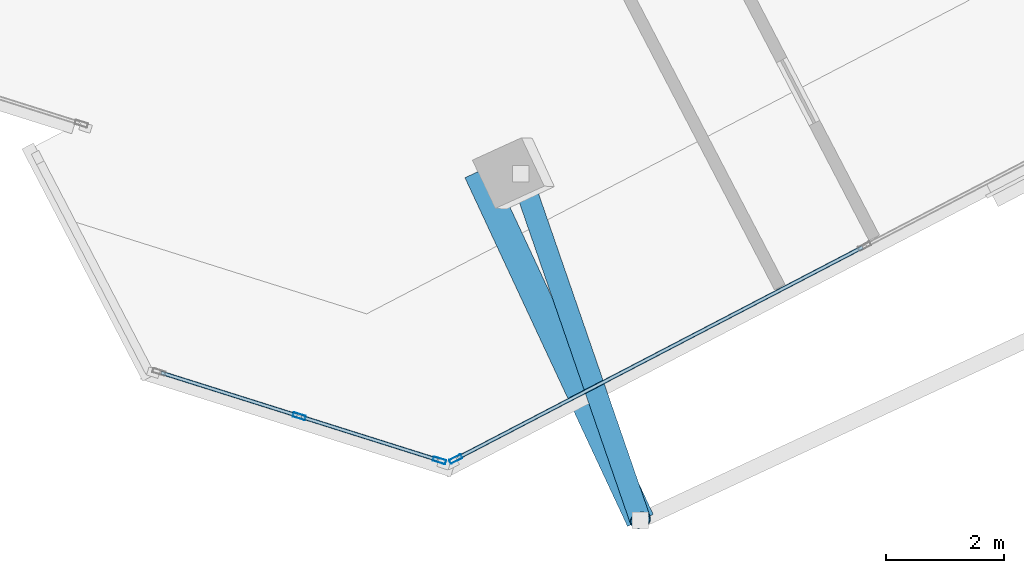
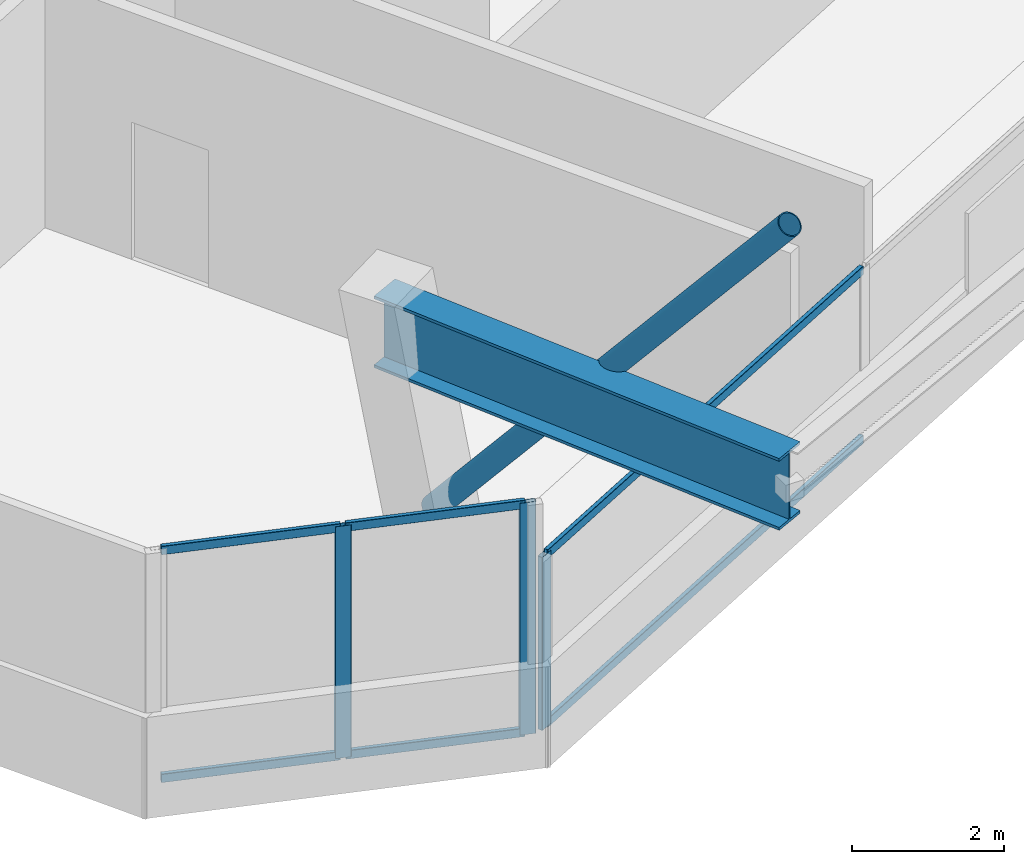
# One storey, part 3 of 16: 10 members, 1 beam, 2 elements without a shape of their own.
"""IFC4 building model written with IfcOpenShell, lengths in metres."""

import ifcopenshell
import ifcopenshell.guid

model = None  # the IFC model being written
_history = None  # IfcOwnerHistory: only IFC2X3 demands one
_inside = {}  # id of a spatial element -> (the spatial element, [elements in it])
_under = {}  # id of a project, library or spatial element -> (it, [spatial elements below it])
_declared = {}  # id of a project -> (the project, [libraries it declares])
_typed = {}  # id of a type object -> (the type object, [elements of that type])
_made_of = {}  # id of a material, layer set ... -> (it, [elements and type objects made of it])


def new_model(schema):
    """Start an empty IFC model of exactly this schema.

    Asked for "IFC4X3", IfcOpenShell would pick the latest addendum, in which some entities
    have other attributes; the version numbers below select the first issue.
    IFC2X3 requires an IfcOwnerHistory on every rooted entity: one is made here for all.
    """
    global model, _history
    if schema == "IFC4X3":
        model = ifcopenshell.file(schema_version=(4, 3, 0, 0))
    else:
        model = ifcopenshell.file(schema=schema)
    _inside.clear()
    _under.clear()
    _declared.clear()
    _typed.clear()
    _made_of.clear()
    _history = None
    if model.schema == "IFC2X3":
        org = make("IfcOrganization", Name="unknown")
        user = make(
            "IfcPersonAndOrganization",
            ThePerson=make("IfcPerson", FamilyName="unknown"),
            TheOrganization=org,
        )
        app = make(
            "IfcApplication",
            ApplicationDeveloper=org,
            Version="unknown",
            ApplicationFullName="unknown",
            ApplicationIdentifier="unknown",
        )
        _history = make(
            "IfcOwnerHistory",
            OwningUser=user,
            OwningApplication=app,
            ChangeAction="ADDED",
            CreationDate=0,
        )
    return model


def make(cls, **values):
    """One entity of the class cls with the attributes given. An attribute that is None is left unset."""
    return model.create_entity(
        cls, **{name: value for name, value in values.items() if value is not None}
    )


def rooted(cls, **values):
    """An entity with a GlobalId (a new one), such as an element, a storey or a relation."""
    return make(cls, GlobalId=ifcopenshell.guid.new(), OwnerHistory=_history, **values)


def si_unit(unit_type, name, prefix=None):
    """IfcSIUnit, for example si_unit("LENGTHUNIT", "METRE", prefix="MILLI")."""
    return make("IfcSIUnit", UnitType=unit_type, Prefix=prefix, Name=name)


def assignment(units):
    """IfcUnitAssignment: the units of a project."""
    return None if units is None else make("IfcUnitAssignment", Units=units)


def point(xyz):
    """IfcCartesianPoint."""
    return None if xyz is None else make("IfcCartesianPoint", Coordinates=xyz)


def direction(xyz):
    """IfcDirection."""
    return None if xyz is None else make("IfcDirection", DirectionRatios=xyz)


def frame(location, z_axis=None, x_axis=None):
    """IfcAxis2Placement3D, a coordinate frame: its origin and axes. An axis left out is left unset."""
    return make(
        "IfcAxis2Placement3D",
        Location=point(location),
        Axis=direction(z_axis),
        RefDirection=direction(x_axis),
    )


def frame_2d(location, x_axis=None):
    """IfcAxis2Placement2D, a coordinate frame in the plane: its origin and x axis."""
    return make(
        "IfcAxis2Placement2D", Location=point(location), RefDirection=direction(x_axis)
    )


def origin():
    """The frame at (0, 0, 0) with its axes left unset."""
    return frame((0.0, 0.0, 0.0))


def origin_2d():
    """The frame at (0, 0) in the plane with its x axis left unset."""
    return frame_2d((0.0, 0.0))


def place(relative_to, where):
    """IfcLocalPlacement: puts the frame where relative to a parent placement (None: the world)."""
    return make(
        "IfcLocalPlacement", PlacementRelTo=relative_to, RelativePlacement=where
    )


def context(
    kind, dimensions, precision=None, world=None, true_north=None, identifier=None
):
    """IfcGeometricRepresentationContext, for example the 3D "Model" context."""
    return make(
        "IfcGeometricRepresentationContext",
        ContextIdentifier=identifier,
        ContextType=kind,
        CoordinateSpaceDimension=dimensions,
        Precision=precision,
        WorldCoordinateSystem=world,
        TrueNorth=true_north,
    )


def subcontext(parent, identifier, kind, view, scale=None):
    """IfcGeometricRepresentationSubContext, for example "Body" below "Model"."""
    return make(
        "IfcGeometricRepresentationSubContext",
        ContextIdentifier=identifier,
        ContextType=kind,
        ParentContext=parent,
        TargetScale=scale,
        TargetView=view,
    )


def project(units=None, contexts=None):
    """IfcProject with its units and contexts."""
    return rooted(
        "IfcProject",
        Name="project",
        RepresentationContexts=contexts,
        UnitsInContext=assignment(units),
    )


def spatial(cls, under=None, at=None, **own):
    """A site, building, storey or space (cls), placed at a placement, below another one or the project."""
    s = rooted(cls, ObjectPlacement=at, **own)
    if under is not None:
        _under.setdefault(under.id(), (under, []))[1].append(s)
    return s


def profile(cls, at=None, kind="AREA", **sizes):
    """A parametric profile (cls). Its sizes go by their IFC names, for example OverallWidth=200.0."""
    return make(cls, ProfileType=kind, Position=at, **sizes)


def hollow_rectangle(**sizes):
    """IfcRectangleHollowProfileDef."""
    return profile("IfcRectangleHollowProfileDef", **sizes)


def hollow_circle(**sizes):
    """IfcCircleHollowProfileDef."""
    return profile("IfcCircleHollowProfileDef", **sizes)


def i_section(**sizes):
    """IfcIShapeProfileDef."""
    return profile("IfcIShapeProfileDef", **sizes)


def extrude(swept, where, along, depth):
    """IfcExtrudedAreaSolid: the profile swept, set in the frame where, extruded along a direction by depth."""
    return make(
        "IfcExtrudedAreaSolid",
        SweptArea=swept,
        Position=where,
        ExtrudedDirection=direction(along),
        Depth=depth,
    )


def shape(context_of_items, identifier, shape_type, items):
    """IfcShapeRepresentation: the items that make up one representation, for example the "Body"."""
    return make(
        "IfcShapeRepresentation",
        ContextOfItems=context_of_items,
        RepresentationIdentifier=identifier,
        RepresentationType=shape_type,
        Items=items,
    )


def source(mapping_origin, context_of_items, identifier, shape_type, items):
    """IfcRepresentationMap: a shape defined once, which mapped items show again and again."""
    return make(
        "IfcRepresentationMap",
        MappingOrigin=mapping_origin,
        MappedRepresentation=shape(context_of_items, identifier, shape_type, items),
    )


def transform(
    local_origin,
    x_axis=None,
    y_axis=None,
    z_axis=None,
    scale=None,
    scale2=None,
    scale3=None,
    uniform=True,
):
    """IfcCartesianTransformationOperator3D, or its non-uniform kind. x_axis, y_axis, z_axis: its Axis1, 2, 3."""
    if uniform:
        return make(
            "IfcCartesianTransformationOperator3D",
            Axis1=direction(x_axis),
            Axis2=direction(y_axis),
            LocalOrigin=point(local_origin),
            Scale=scale,
            Axis3=direction(z_axis),
        )
    return make(
        "IfcCartesianTransformationOperator3DnonUniform",
        Axis1=direction(x_axis),
        Axis2=direction(y_axis),
        LocalOrigin=point(local_origin),
        Scale=scale,
        Axis3=direction(z_axis),
        Scale2=scale2,
        Scale3=scale3,
    )


def mapped(mapping_source, mapping_target):
    """IfcMappedItem: shows the shape of a source again, moved by a transform."""
    return make(
        "IfcMappedItem", MappingSource=mapping_source, MappingTarget=mapping_target
    )


def material(Name=None, Category=None):
    """IfcMaterial."""
    return make("IfcMaterial", Name=Name, Category=Category)


def material_profile(
    of_material, cross_section, Name=None, Category=None, Priority=None
):
    """IfcMaterialProfile: a cross section and its material."""
    return make(
        "IfcMaterialProfile",
        Name=Name,
        Material=of_material,
        Profile=cross_section,
        Priority=Priority,
        Category=Category,
    )


def profile_set(profiles, Name=None, composite=None):
    """IfcMaterialProfileSet."""
    return make(
        "IfcMaterialProfileSet",
        Name=Name,
        MaterialProfiles=profiles,
        CompositeProfile=composite,
    )


def made_of(thing, what):
    """Note that an element or type object is made of a material, layer set ...; save() writes the relation."""
    if what is not None:
        _made_of.setdefault(what.id(), (what, []))[1].append(thing)
    return thing


def type_object(cls, material=None, **own):
    """A type object (cls), such as IfcWallType, which elements share."""
    return made_of(rooted(cls, **own), material)


def element(
    cls,
    number,
    at=None,
    inside=None,
    cuts=None,
    type_object=None,
    material=None,
    context=None,
    identifier="Body",
    shape_type=None,
    held_by="IfcProductDefinitionShape",
    body=None,
    shapes=None,
    **own,
):
    """One element of the class cls, such as IfcWall. Its Tag is "e" and its number.

    at: its placement. inside: the storey or other place that contains it. cuts: it is an
    opening in that element (IfcRelVoidsElement). A single representation is given by context,
    identifier, shape_type and body (its items); several are given by shapes. held_by: the class
    of the entity that holds the representations. save() writes the other relations.
    """
    e = rooted(cls, Tag="e%d" % number, ObjectPlacement=at, **own)
    if body is not None:
        shapes = [shape(context, identifier, shape_type, body)]
    if shapes is not None:
        e.Representation = make(held_by, Representations=shapes)
    if inside is not None:
        _inside.setdefault(inside.id(), (inside, []))[1].append(e)
    if cuts is not None:
        rooted(
            "IfcRelVoidsElement", RelatingBuildingElement=cuts, RelatedOpeningElement=e
        )
    if type_object is not None:
        _typed.setdefault(type_object.id(), (type_object, []))[1].append(e)
    return made_of(e, material)


def aggregate(whole, parts):
    """IfcRelAggregates: a whole, such as a stair, and the parts it consists of."""
    return rooted("IfcRelAggregates", RelatingObject=whole, RelatedObjects=parts)


def save(model, path):
    """Write the relations noted so far, then the file.

    IfcRelAggregates (storeys below a building ...), IfcRelContainedInSpatialStructure (elements
    in a storey), IfcRelDefinesByType, IfcRelAssociatesMaterial and IfcRelDeclares: one each for
    every whole, place, type object, material and project.
    """
    for whole, parts in _under.values():
        aggregate(whole, parts)
    for where, things in _inside.values():
        rooted(
            "IfcRelContainedInSpatialStructure",
            RelatedElements=things,
            RelatingStructure=where,
        )
    for kind, things in _typed.values():
        rooted("IfcRelDefinesByType", RelatedObjects=things, RelatingType=kind)
    for what, things in _made_of.values():
        rooted("IfcRelAssociatesMaterial", RelatedObjects=things, RelatingMaterial=what)
    for by, libraries in _declared.values():
        rooted("IfcRelDeclares", RelatingContext=by, RelatedDefinitions=libraries)
    model.write(path)


model = new_model("IFC4")

# Units and contexts
model_context = context("Model", 3, precision=1e-05, world=origin(), true_north=direction((0.0, 1.0)))
body_context = subcontext(model_context, "Body", "Model", "MODEL_VIEW")
ifc_project = project(units=[si_unit("LENGTHUNIT", "METRE"), si_unit("AREAUNIT", "SQUARE_METRE"), si_unit("VOLUMEUNIT", "CUBIC_METRE"), si_unit("PLANEANGLEUNIT", "RADIAN"), si_unit("MASSUNIT", "GRAM", prefix="KILO")], contexts=[model_context])

# Site, building, storey
site_placement = place(None, origin())
site = spatial("IfcSite", under=ifc_project, at=site_placement, CompositionType="ELEMENT")
building_placement = place(site_placement, origin())
building = spatial("IfcBuilding", under=site, at=building_placement, Name="Torre Montelarca", CompositionType="ELEMENT")
storey_placement = place(building_placement, frame((0.0, 0.0, 336.60009765625)))
storey = spatial("IfcBuildingStorey", under=building, at=storey_placement, Name="L76", CompositionType="ELEMENT", Elevation=336.60009765625)

# Beam
ifc_material_1 = material(Name="Steel ASTM A572 Grade 50", Category="steel")
ifc_material_profile_1 = material_profile(ifc_material_1, i_section(OverallWidth=0.47998046875, OverallDepth=1.14990234375, WebThickness=0.02197265625, FlangeThickness=0.044921875, at=origin_2d()), Name="PG1150X480X22X45", Category="steel")
ifc_profile_set_1 = profile_set([ifc_material_profile_1], Name="Steel ASTM A572 Grade 50")
beam_type = type_object("IfcBeamType", Name="BM-CG-PG1400-EXT", PredefinedType="USERDEFINED", material=ifc_profile_set_1)
shared_shape_1 = source(origin(), body_context, "Body", "SweptSolid", [
    extrude(i_section(OverallWidth=0.47998046875, OverallDepth=1.14990234375, WebThickness=0.02197265625, FlangeThickness=0.044921875, at=origin_2d()), origin(), (0.0, 0.0, 1.0), 6.5),
])
beam_placement = place(storey_placement, frame((20.37744140625, 15.4775390625, 3.385009765625), z_axis=(0.422632531286, -0.906301132901, 0.0), x_axis=(0.906301132901, 0.422632531286, 0.0)))
element("IfcBeam", 1, at=beam_placement, inside=storey, type_object=beam_type, Name="L76 Sliding Tray Cantilever Girder East Y=24m (FLR)", ObjectType="CANTILEVER GIRDER", PredefinedType="USERDEFINED", context=body_context, shape_type="MappedRepresentation", body=[
    mapped(shared_shape_1, transform((0.0, 0.0, 0.0), scale=1.0)),
])

# Member
ifc_material_2 = material(Name="Steel ASTM A500 Grade C", Category="steel")
ifc_material_profile_2 = material_profile(ifc_material_2, hollow_circle(Radius=0.177734375, WallThickness=0.015869140625, at=origin_2d()), Name="HSS355.6X15.9", Category="steel")
ifc_profile_set_2 = profile_set([ifc_material_profile_2], Name="Steel ASTM A500 Grade C")
member_type_1 = type_object("IfcMemberType", Name="MB-BR-CHS356-EXT", PredefinedType="BRACE", material=ifc_profile_set_2)
shared_shape_2 = source(origin(), body_context, "Body", "SweptSolid", [
    extrude(hollow_circle(Radius=0.177734375, WallThickness=0.015869140625, at=origin_2d()), origin(), (0.0, 0.0, 1.0), 9.64111328125),
])
member_1_placement = place(storey_placement, frame((21.099365234375, 15.4443359375, 0.199951171875), z_axis=(0.210052304184, -0.607569009559, 0.765988203649), x_axis=(0.945111046474, 0.326749307319, 0.0)))
element("IfcMember", 2, at=member_1_placement, inside=storey, type_object=member_type_1, Name="L77 Sky-Lounge Upper Diagonal Raker Strut Y=24m", PredefinedType="BRACE", context=body_context, shape_type="MappedRepresentation", body=[
    mapped(shared_shape_2, transform((0.0, 0.0, 0.0), scale=1.0)),
])

# Curtain wall, members
ifc_material_3 = material(Name="Insulated low-E laminated glass", Category="glass")
curtain_wall_type = type_object("IfcCurtainWallType", Name="CW-SYS-Z4", PredefinedType="USERDEFINED", material=ifc_material_3)
curtain_wall_1_placement = place(storey_placement, origin())
curtain_wall_1 = element("IfcCurtainWall", 3, at=curtain_wall_1_placement, inside=storey, type_object=curtain_wall_type, Name="L76 Curtain Wall Run CW-T3-L76-E05-B1", ObjectType="UNITISED GLAZING", PredefinedType="USERDEFINED")
ifc_material_4 = material(Name="Anodised aluminium AA 6063-T6", Category="aluminium")
ifc_material_profile_3 = material_profile(ifc_material_4, hollow_rectangle(XDim=0.074951171875, YDim=0.219970703125, WallThickness=0.0048828125, InnerFilletRadius=0.0048828125, OuterFilletRadius=0.010009765625, at=origin_2d()), Name="ALU75X220X5", Category="aluminium")
ifc_profile_set_3 = profile_set([ifc_material_profile_3], Name="Anodised aluminium AA 6063-T6")
member_type_2 = type_object("IfcMemberType", Name="CWM-ALU220", PredefinedType="MULLION", material=ifc_profile_set_3)
shared_shape_3 = source(origin(), body_context, "Body", "SweptSolid", [
    extrude(hollow_rectangle(XDim=0.074951171875, YDim=0.219970703125, WallThickness=0.0048828125, InnerFilletRadius=0.0048828125, OuterFilletRadius=0.010009765625, at=origin_2d()), origin(), (0.0, 0.0, 1.0), 3.719970703125),
])
member_2_placement = place(storey_placement, frame((17.360595703125, 11.34716796875, 0.0), z_axis=(0.0, 0.0, 1.0), x_axis=(0.300692834013, 0.953721038655, 0.0)))
member_2 = element("IfcMember", 4, at=member_2_placement, type_object=member_type_2, Name="CW mullion 2", PredefinedType="MULLION", context=body_context, shape_type="MappedRepresentation", body=[
    mapped(shared_shape_3, transform((0.0, 0.0, 0.0), scale=1.0)),
])
member_3_placement = place(storey_placement, frame((19.7294921875, 10.600341796875, 0.0), z_axis=(0.0, 0.0, 1.0), x_axis=(0.300692834013, 0.953721038655, 0.0)))
member_3 = element("IfcMember", 5, at=member_3_placement, type_object=member_type_2, Name="CW mullion 3", PredefinedType="MULLION", context=body_context, shape_type="MappedRepresentation", body=[
    mapped(shared_shape_3, transform((0.0, 0.0, 0.0), scale=1.0)),
])

# Curtain wall, member
curtain_wall_2_placement = place(storey_placement, origin())
curtain_wall_2 = element("IfcCurtainWall", 6, at=curtain_wall_2_placement, inside=storey, type_object=curtain_wall_type, Name="L76 Curtain Wall Run CW-T3-L76-E06-B1", ObjectType="UNITISED GLAZING", PredefinedType="USERDEFINED")
shared_shape_4 = source(origin(), body_context, "Body", "SweptSolid", [
    extrude(hollow_rectangle(XDim=0.074951171875, YDim=0.219970703125, WallThickness=0.0048828125, InnerFilletRadius=0.0048828125, OuterFilletRadius=0.010009765625, at=origin_2d()), origin(), (0.0, 0.0, 1.0), 2.77490234375),
])
member_4_placement = place(storey_placement, frame((20.004638671875, 10.624267578125, 0.0), z_axis=(0.0, 0.0, 1.0), x_axis=(-0.461745658928, 0.887012371087, 0.0)))
member_4 = element("IfcMember", 7, at=member_4_placement, type_object=member_type_2, Name="CW mullion 1", PredefinedType="MULLION", context=body_context, shape_type="MappedRepresentation", body=[
    mapped(shared_shape_4, transform((0.0, 0.0, 0.0), scale=1.0)),
])

# Member
ifc_material_profile_4 = material_profile(ifc_material_4, hollow_rectangle(XDim=0.06494140625, YDim=0.139892578125, WallThickness=0.00390625, InnerFilletRadius=0.00390625, OuterFilletRadius=0.008056640625, at=origin_2d()), Name="ALU65X140X4", Category="aluminium")
ifc_profile_set_4 = profile_set([ifc_material_profile_4], Name="Anodised aluminium AA 6063-T6")
member_type_3 = type_object("IfcMemberType", Name="CWT-ALU140", PredefinedType="USERDEFINED", material=ifc_profile_set_4)
shared_shape_5 = source(origin(), body_context, "Body", "SweptSolid", [
    extrude(hollow_rectangle(XDim=0.06494140625, YDim=0.139892578125, WallThickness=0.00390625, InnerFilletRadius=0.00390625, OuterFilletRadius=0.008056640625, at=origin_2d()), origin(), (0.0, 0.0, 1.0), 2.40869140625),
])
member_5_placement = place(storey_placement, frame((15.02783203125, 12.082763671875, 0.032470703125), z_axis=(0.953706668557, -0.300738408504, 0.0), x_axis=(0.300738408504, 0.953706668557, 0.0)))
member_5 = element("IfcMember", 8, at=member_5_placement, type_object=member_type_3, Name="CW transom 1.1", ObjectType="TRANSOM", PredefinedType="USERDEFINED", context=body_context, shape_type="MappedRepresentation", body=[
    mapped(shared_shape_5, transform((0.0, 0.0, 0.0), scale=1.0)),
])

member_6_placement = place(storey_placement, frame((15.02783203125, 12.082763671875, 3.6875), z_axis=(0.953706668557, -0.300738408504, 0.0), x_axis=(0.300738408504, 0.953706668557, 0.0)))
member_6 = element("IfcMember", 9, at=member_6_placement, type_object=member_type_3, Name="CW transom 1.2", ObjectType="TRANSOM", PredefinedType="USERDEFINED", context=body_context, shape_type="MappedRepresentation", body=[
    mapped(shared_shape_5, transform((0.0, 0.0, 0.0), scale=1.0)),
])

member_7_placement = place(storey_placement, frame((17.396484375, 11.3359375, 0.032470703125), z_axis=(0.953706668557, -0.300738408504, 0.0), x_axis=(0.300738408504, 0.953706668557, 0.0)))
member_7 = element("IfcMember", 10, at=member_7_placement, type_object=member_type_3, Name="CW transom 2.1", ObjectType="TRANSOM", PredefinedType="USERDEFINED", context=body_context, shape_type="MappedRepresentation", body=[
    mapped(shared_shape_5, transform((0.0, 0.0, 0.0), scale=1.0)),
])

member_8_placement = place(storey_placement, frame((17.396484375, 11.3359375, 3.6875), z_axis=(0.953706668557, -0.300738408504, 0.0), x_axis=(0.300738408504, 0.953706668557, 0.0)))
member_8 = element("IfcMember", 11, at=member_8_placement, type_object=member_type_3, Name="CW transom 2.2", ObjectType="TRANSOM", PredefinedType="USERDEFINED", context=body_context, shape_type="MappedRepresentation", body=[
    mapped(shared_shape_5, transform((0.0, 0.0, 0.0), scale=1.0)),
])

aggregate(curtain_wall_1, [member_2, member_3, member_5, member_6, member_7, member_8])

shared_shape_6 = source(origin(), body_context, "Body", "SweptSolid", [
    extrude(hollow_rectangle(XDim=0.06494140625, YDim=0.139892578125, WallThickness=0.00390625, InnerFilletRadius=0.00390625, OuterFilletRadius=0.008056640625, at=origin_2d()), origin(), (0.0, 0.0, 1.0), 7.71044921875),
])
member_9_placement = place(storey_placement, frame((20.037841796875, 10.6416015625, 0.032470703125), z_axis=(0.88700622643, 0.461757462608, 0.0), x_axis=(-0.461757462608, 0.88700622643, 0.0)))
member_9 = element("IfcMember", 12, at=member_9_placement, type_object=member_type_3, Name="CW transom 1.1", ObjectType="TRANSOM", PredefinedType="USERDEFINED", context=body_context, shape_type="MappedRepresentation", body=[
    mapped(shared_shape_6, transform((0.0, 0.0, 0.0), scale=1.0)),
])

member_10_placement = place(storey_placement, frame((20.037841796875, 10.6416015625, 2.742431640625), z_axis=(0.88700622643, 0.461757462608, 0.0), x_axis=(-0.461757462608, 0.88700622643, 0.0)))
member_10 = element("IfcMember", 13, at=member_10_placement, type_object=member_type_3, Name="CW transom 1.2", ObjectType="TRANSOM", PredefinedType="USERDEFINED", context=body_context, shape_type="MappedRepresentation", body=[
    mapped(shared_shape_6, transform((0.0, 0.0, 0.0), scale=1.0)),
])

aggregate(curtain_wall_2, [member_4, member_9, member_10])

save(model, "model.ifc")
